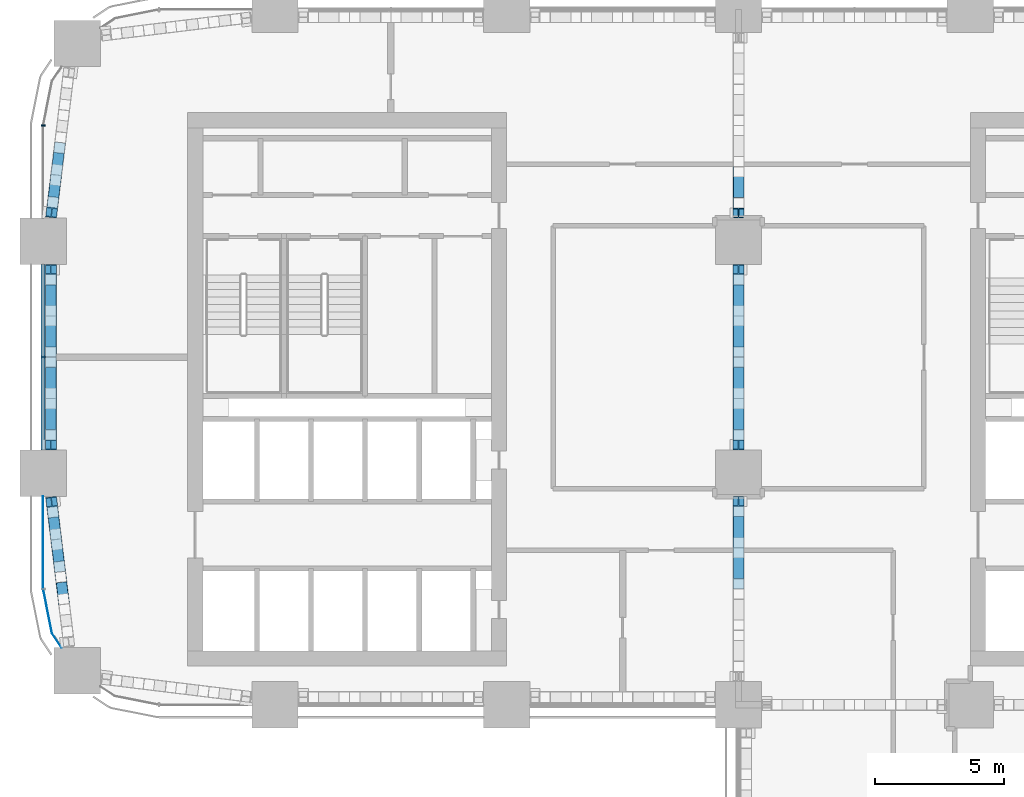
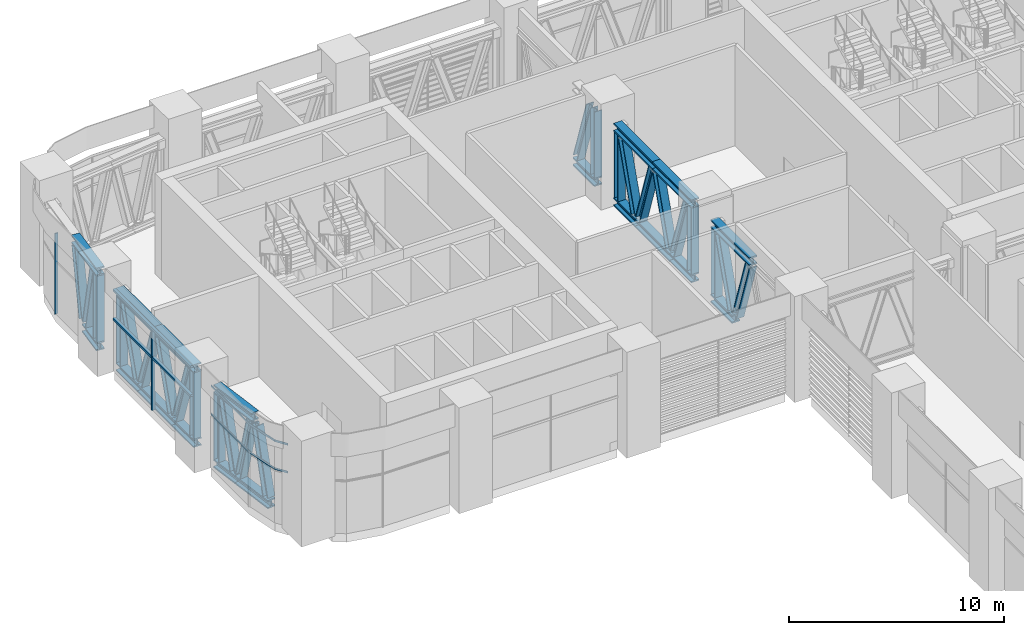
# One storey, part 7 of 24: 48 members, 3 elements without a shape of their own.
"""IFC4 building model written with IfcOpenShell, lengths in metres."""

from ifc_helpers import new_model, si_unit, direction, frame, origin, origin_2d, place, context, subcontext, project, spatial, polyline, rectangle, i_section, outline, extrude, material, material_profile, profile_set, type_object, element, aggregate, save


model = new_model("IFC4")

# Units and contexts
model_context = context("Model", 3, precision=1e-05, world=origin(), true_north=direction((0.0, 1.0)))
body_context = subcontext(model_context, "Body", "Model", "MODEL_VIEW")
ifc_project = project(units=[si_unit("LENGTHUNIT", "METRE"), si_unit("AREAUNIT", "SQUARE_METRE"), si_unit("VOLUMEUNIT", "CUBIC_METRE"), si_unit("PLANEANGLEUNIT", "RADIAN"), si_unit("MASSUNIT", "GRAM", prefix="KILO")], contexts=[model_context])

# Site, building, storey
site_placement = place(None, origin())
site = spatial("IfcSite", under=ifc_project, at=site_placement, CompositionType="ELEMENT")
building_placement = place(site_placement, origin())
building = spatial("IfcBuilding", under=site, at=building_placement, Name="Tessera Arch", CompositionType="ELEMENT")
storey_placement = place(building_placement, frame((0.0, 0.0, 123.39990234375)))
storey = spatial("IfcBuildingStorey", under=building, at=storey_placement, Name="L29", CompositionType="ELEMENT", Elevation=123.39990234375)

# Curtain wall, member
ifc_material_1 = material(Name="CW7 curtain wall")
curtain_wall_type = type_object("IfcCurtainWallType", Name="CW7 curtain wall", PredefinedType="NOTDEFINED", material=ifc_material_1)
curtain_wall_1_placement = place(storey_placement, origin())
curtain_wall_1 = element("IfcCurtainWall", 1, at=curtain_wall_1_placement, inside=storey, type_object=curtain_wall_type, Name="CW7 curtain wall W0.27/0 L29", PredefinedType="NOTDEFINED")
ifc_material_2 = material(Name="Anodised aluminium pale metal", Category="aluminium")
ifc_material_profile_1 = material_profile(ifc_material_2, rectangle(XDim=0.159912109375, YDim=0.06005859375, at=origin_2d()), Name="AL 60x160")
ifc_profile_set_1 = profile_set([ifc_material_profile_1], Name="Anodised aluminium pale metal")
member_type_1 = type_object("IfcMemberType", Name="CW7 mullion", PredefinedType="MULLION", material=ifc_profile_set_1)
member_1_placement = place(storey_placement, frame((0.0, 49.5, 0.0), z_axis=(0.0, 0.0, 1.0), x_axis=(1.0, 0.0, 0.0)))
member_1 = element("IfcMember", 2, at=member_1_placement, type_object=member_type_1, Name="CW7 mullion W0.27/0 1", PredefinedType="MULLION", context=body_context, shape_type="SweptSolid", body=[
    extrude(rectangle(XDim=0.159912109375, YDim=0.06005859375, at=origin_2d()), origin(), (0.0, 0.0, 1.0), 4.580078125),
])
aggregate(curtain_wall_1, [member_1])

# Curtain wall, members
curtain_wall_2_placement = place(storey_placement, origin())
curtain_wall_2 = element("IfcCurtainWall", 3, at=curtain_wall_2_placement, inside=storey, type_object=curtain_wall_type, Name="CW7 curtain wall W0.27/1 L29", PredefinedType="NOTDEFINED")
member_2_placement = place(storey_placement, frame((0.0, 40.5, 0.0), z_axis=(0.0, 0.0, 1.0), x_axis=(1.0, 0.0, 0.0)))
member_2 = element("IfcMember", 4, at=member_2_placement, type_object=member_type_1, Name="CW7 mullion W0.27/1 1", PredefinedType="MULLION", context=body_context, shape_type="SweptSolid", body=[
    extrude(rectangle(XDim=0.159912109375, YDim=0.06005859375, at=origin_2d()), origin(), (0.0, 0.0, 1.0), 4.580078125),
])
ifc_material_3 = material(Name="Anodised aluminium pale metal", Category="aluminium")
ifc_material_profile_2 = material_profile(ifc_material_3, rectangle(XDim=0.159912109375, YDim=0.1201171875, at=origin_2d()), Name="AL 160x120")
ifc_profile_set_2 = profile_set([ifc_material_profile_2], Name="Anodised aluminium pale metal")
member_type_2 = type_object("IfcMemberType", Name="CW7 transom", PredefinedType="USERDEFINED", material=ifc_profile_set_2)
member_3_placement = place(storey_placement, frame((0.0, 44.10009765625, 4.64013671875), z_axis=(0.0, -1.0, 0.0), x_axis=(1.0, 0.0, 0.0)))
member_3 = element("IfcMember", 5, at=member_3_placement, type_object=member_type_2, Name="CW7 transom W0.27/1 1.1", ObjectType="TRANSOM", PredefinedType="USERDEFINED", context=body_context, shape_type="SweptSolid", body=[
    extrude(rectangle(XDim=0.159912109375, YDim=0.1201171875, at=origin_2d()), origin(), (0.0, 0.0, 1.0), 7.2001953125),
])
member_4_placement = place(storey_placement, frame((0.0, 44.10009765625, 3.0), z_axis=(0.0, -1.0, 0.0), x_axis=(1.0, 0.0, 0.0)))
member_4 = element("IfcMember", 6, at=member_4_placement, type_object=member_type_2, Name="CW7 transom W0.27/1 2.1", ObjectType="TRANSOM", PredefinedType="USERDEFINED", context=body_context, shape_type="SweptSolid", body=[
    extrude(rectangle(XDim=0.159912109375, YDim=0.1201171875, at=origin_2d()), origin(), (0.0, 0.0, 1.0), 7.2001953125),
])
aggregate(curtain_wall_2, [member_2, member_3, member_4])

curtain_wall_3_placement = place(storey_placement, origin())
curtain_wall_3 = element("IfcCurtainWall", 7, at=curtain_wall_3_placement, inside=storey, type_object=curtain_wall_type, Name="CW7 curtain wall W0.27/2 L29", PredefinedType="NOTDEFINED")
member_5_placement = place(storey_placement, frame((0.0, 0.0, 3.0)))
member_5 = element("IfcMember", 8, at=member_5_placement, type_object=member_type_2, Name="CW7 transom W0.27/2 1", ObjectType="TRANSOM", PredefinedType="USERDEFINED", context=body_context, shape_type="SweptSolid", body=[
    extrude(outline(polyline([(0.010009765625, 31.5009765625), (0.010009765625, 35.10009765625), (-0.010009765625, 35.10009765625), (-0.010009765625, 31.4990234375), (0.3330078125, 29.77392578125), (0.70849609375, 29.21240234375), (0.72509765625, 29.2236328125), (0.351806640625, 29.78173828125), (0.010009765625, 31.5009765625)])), origin(), (0.0, 0.0, 1.0), 0.1201171875),
])
member_6_placement = place(storey_placement, frame((0.0, 0.0, 4.580078125)))
member_6 = element("IfcMember", 9, at=member_6_placement, type_object=member_type_2, Name="CW7 transom W0.27/2 2", ObjectType="TRANSOM", PredefinedType="USERDEFINED", context=body_context, shape_type="SweptSolid", body=[
    extrude(outline(polyline([(0.010009765625, 31.5009765625), (0.010009765625, 35.10009765625), (-0.010009765625, 35.10009765625), (-0.010009765625, 31.4990234375), (0.3330078125, 29.77392578125), (0.70849609375, 29.21240234375), (0.72509765625, 29.2236328125), (0.351806640625, 29.78173828125), (0.010009765625, 31.5009765625)])), origin(), (0.0, 0.0, 1.0), 0.1201171875),
])
aggregate(curtain_wall_3, [member_5, member_6])

# Members
ifc_material_4 = material(Name="Steel A992 Gr50", Category="steel")
ifc_material_profile_3 = material_profile(ifc_material_4, i_section(OverallWidth=0.424072265625, OverallDepth=0.47412109375, WebThickness=0.047607421875, FlangeThickness=0.0771484375, at=origin_2d()), Name="W14x426")
ifc_profile_set_3 = profile_set([ifc_material_profile_3], Name="Steel A992 Gr50")
member_type_3 = type_object("IfcMemberType", Name="Truss chord W14x426", PredefinedType="CHORD", material=ifc_profile_set_3)
member_7_placement = place(storey_placement, frame((0.659912109375, 48.835693359375, 4.462890625), z_axis=(-0.120918280139, -0.992662465055, 0.0), x_axis=(0.992662465055, -0.120918280139, 0.0)))
element("IfcMember", 10, at=member_7_placement, inside=storey, type_object=member_type_3, Name="Belt truss top chord 2", PredefinedType="CHORD", context=body_context, shape_type="SweptSolid", body=[
    extrude(i_section(OverallWidth=0.424072265625, OverallDepth=0.47412109375, WebThickness=0.047607421875, FlangeThickness=0.0771484375, at=origin_2d()), origin(), (0.0, 0.0, 1.0), 2.931640625),
])
member_8_placement = place(storey_placement, frame((0.50634765625, 47.575927734375, 0.2373046875), z_axis=(-0.120853214479, -0.992670388674, 0.0), x_axis=(0.992670388674, -0.120853214479, 0.0)))
element("IfcMember", 11, at=member_8_placement, inside=storey, type_object=member_type_3, Name="Belt truss bottom chord 3", PredefinedType="CHORD", context=body_context, shape_type="SweptSolid", body=[
    extrude(i_section(OverallWidth=0.424072265625, OverallDepth=0.47412109375, WebThickness=0.047607421875, FlangeThickness=0.0771484375, at=origin_2d()), origin(), (0.0, 0.0, 1.0), 1.66259765625),
])
for number, where, z_axis, x_axis, name in (
    (12, (0.300048828125, 44.10009765625, 4.462890625), (0.0, -1.0, 0.0), (1.0, 0.0, 0.0), "Belt truss top chord 1"),
    (13, (0.300048828125, 40.5, 4.462890625), (0.0, -1.0, 0.0), (1.0, 0.0, 0.0), "Belt truss top chord 2"),
):
    element("IfcMember", number, at=place(storey_placement, frame(where, z_axis=z_axis, x_axis=x_axis)), inside=storey, type_object=member_type_3, Name=name, PredefinedType="CHORD", context=body_context, shape_type="SweptSolid", body=[
        extrude(i_section(OverallWidth=0.424072265625, OverallDepth=0.47412109375, WebThickness=0.047607421875, FlangeThickness=0.0771484375, at=origin_2d()), origin(), (0.0, 0.0, 1.0), 3.60009765625),
    ])
member_9_placement = place(storey_placement, frame((0.300048828125, 44.10009765625, 0.2373046875), z_axis=(0.0, -1.0, 0.0), x_axis=(1.0, 0.0, 0.0)))
element("IfcMember", 14, at=member_9_placement, inside=storey, type_object=member_type_3, Name="Belt truss bottom chord 1", PredefinedType="CHORD", context=body_context, shape_type="SweptSolid", body=[
    extrude(i_section(OverallWidth=0.424072265625, OverallDepth=0.47412109375, WebThickness=0.047607421875, FlangeThickness=0.0771484375, at=origin_2d()), origin(), (0.0, 0.0, 1.0), 1.996826171875),
])
member_10_placement = place(storey_placement, frame((0.300048828125, 42.103271484375, 0.2373046875), z_axis=(0.0, -1.0, 0.0), x_axis=(1.0, 0.0, 0.0)))
element("IfcMember", 15, at=member_10_placement, inside=storey, type_object=member_type_3, Name="Belt truss bottom chord 2", PredefinedType="CHORD", context=body_context, shape_type="SweptSolid", body=[
    extrude(i_section(OverallWidth=0.424072265625, OverallDepth=0.47412109375, WebThickness=0.047607421875, FlangeThickness=0.0771484375, at=origin_2d()), origin(), (0.0, 0.0, 1.0), 3.20654296875),
])
member_11_placement = place(storey_placement, frame((0.300048828125, 38.896728515625, 0.2373046875), z_axis=(0.0, -1.0, 0.0), x_axis=(1.0, 0.0, 0.0)))
element("IfcMember", 16, at=member_11_placement, inside=storey, type_object=member_type_3, Name="Belt truss bottom chord 3", PredefinedType="CHORD", context=body_context, shape_type="SweptSolid", body=[
    extrude(i_section(OverallWidth=0.424072265625, OverallDepth=0.47412109375, WebThickness=0.047607421875, FlangeThickness=0.0771484375, at=origin_2d()), origin(), (0.0, 0.0, 1.0), 1.996826171875),
])
member_12_placement = place(storey_placement, frame((0.305419921875, 35.074462890625, 4.462890625), z_axis=(0.120918280139, -0.992662465055, 0.0), x_axis=(0.992662465055, 0.120918280139, 0.0)))
element("IfcMember", 17, at=member_12_placement, inside=storey, type_object=member_type_3, Name="Belt truss top chord 1", PredefinedType="CHORD", context=body_context, shape_type="SweptSolid", body=[
    extrude(i_section(OverallWidth=0.424072265625, OverallDepth=0.47412109375, WebThickness=0.047607421875, FlangeThickness=0.0771484375, at=origin_2d()), origin(), (0.0, 0.0, 1.0), 2.931640625),
])
member_13_placement = place(storey_placement, frame((0.305419921875, 35.074462890625, 0.2373046875), z_axis=(0.120853214479, -0.992670388674, 0.0), x_axis=(0.992670388674, 0.120853214479, 0.0)))
element("IfcMember", 18, at=member_13_placement, inside=storey, type_object=member_type_3, Name="Belt truss bottom chord 1", PredefinedType="CHORD", context=body_context, shape_type="SweptSolid", body=[
    extrude(i_section(OverallWidth=0.424072265625, OverallDepth=0.47412109375, WebThickness=0.047607421875, FlangeThickness=0.0771484375, at=origin_2d()), origin(), (0.0, 0.0, 1.0), 1.66259765625),
])
member_14_placement = place(storey_placement, frame((0.50634765625, 33.424072265625, 0.2373046875), z_axis=(0.121015073404, -0.992650669676, 0.0), x_axis=(0.992650669676, 0.121015073404, 0.0)))
element("IfcMember", 19, at=member_14_placement, inside=storey, type_object=member_type_3, Name="Belt truss bottom chord 2", PredefinedType="CHORD", context=body_context, shape_type="SweptSolid", body=[
    extrude(i_section(OverallWidth=0.424072265625, OverallDepth=0.47412109375, WebThickness=0.047607421875, FlangeThickness=0.0771484375, at=origin_2d()), origin(), (0.0, 0.0, 1.0), 2.537841796875),
])
member_15_placement = place(storey_placement, frame((27.0, 31.5, 4.462890625), z_axis=(0.0, 1.0, 0.0), x_axis=(-1.0, 0.0, 0.0)))
element("IfcMember", 20, at=member_15_placement, inside=storey, type_object=member_type_3, Name="Belt truss top chord 2", PredefinedType="CHORD", context=body_context, shape_type="SweptSolid", body=[
    extrude(i_section(OverallWidth=0.424072265625, OverallDepth=0.47412109375, WebThickness=0.047607421875, FlangeThickness=0.0771484375, at=origin_2d()), origin(), (0.0, 0.0, 1.0), 3.599853515625),
])
member_16_placement = place(storey_placement, frame((27.0, 33.10302734375, 0.2373046875), z_axis=(0.0, 1.0, 0.0), x_axis=(-1.0, 0.0, 0.0)))
element("IfcMember", 21, at=member_16_placement, inside=storey, type_object=member_type_3, Name="Belt truss bottom chord 3", PredefinedType="CHORD", context=body_context, shape_type="SweptSolid", body=[
    extrude(i_section(OverallWidth=0.424072265625, OverallDepth=0.47412109375, WebThickness=0.047607421875, FlangeThickness=0.0771484375, at=origin_2d()), origin(), (0.0, 0.0, 1.0), 1.996826171875),
])
for number, where, z_axis, x_axis, name in (
    (22, (27.0, 36.900146484375, 4.462890625), (0.0, 1.0, 0.0), (-1.0, 0.0, 0.0), "Belt truss top chord 1"),
    (23, (27.0, 40.5, 4.462890625), (0.0, 1.0, 0.0), (-1.0, 0.0, 0.0), "Belt truss top chord 2"),
):
    element("IfcMember", number, at=place(storey_placement, frame(where, z_axis=z_axis, x_axis=x_axis)), inside=storey, type_object=member_type_3, Name=name, PredefinedType="CHORD", context=body_context, shape_type="SweptSolid", body=[
        extrude(i_section(OverallWidth=0.424072265625, OverallDepth=0.47412109375, WebThickness=0.047607421875, FlangeThickness=0.0771484375, at=origin_2d()), origin(), (0.0, 0.0, 1.0), 3.599853515625),
    ])
member_17_placement = place(storey_placement, frame((27.0, 36.900146484375, 0.2373046875), z_axis=(0.0, 1.0, 0.0), x_axis=(-1.0, 0.0, 0.0)))
element("IfcMember", 24, at=member_17_placement, inside=storey, type_object=member_type_3, Name="Belt truss bottom chord 1", PredefinedType="CHORD", context=body_context, shape_type="SweptSolid", body=[
    extrude(i_section(OverallWidth=0.424072265625, OverallDepth=0.47412109375, WebThickness=0.047607421875, FlangeThickness=0.0771484375, at=origin_2d()), origin(), (0.0, 0.0, 1.0), 1.996826171875),
])
member_18_placement = place(storey_placement, frame((27.0, 38.89697265625, 0.2373046875), z_axis=(0.0, 1.0, 0.0), x_axis=(-1.0, 0.0, 0.0)))
element("IfcMember", 25, at=member_18_placement, inside=storey, type_object=member_type_3, Name="Belt truss bottom chord 2", PredefinedType="CHORD", context=body_context, shape_type="SweptSolid", body=[
    extrude(i_section(OverallWidth=0.424072265625, OverallDepth=0.47412109375, WebThickness=0.047607421875, FlangeThickness=0.0771484375, at=origin_2d()), origin(), (0.0, 0.0, 1.0), 3.2060546875),
])
for number, where, z_axis, x_axis, name in (
    (26, (27.0, 42.10302734375, 0.2373046875), (0.0, 1.0, 0.0), (-1.0, 0.0, 0.0), "Belt truss bottom chord 3"),
    (27, (27.0, 45.900146484375, 0.2373046875), (0.0, 1.0, 0.0), (-1.0, 0.0, 0.0), "Belt truss bottom chord 1"),
):
    element("IfcMember", number, at=place(storey_placement, frame(where, z_axis=z_axis, x_axis=x_axis)), inside=storey, type_object=member_type_3, Name=name, PredefinedType="CHORD", context=body_context, shape_type="SweptSolid", body=[
        extrude(i_section(OverallWidth=0.424072265625, OverallDepth=0.47412109375, WebThickness=0.047607421875, FlangeThickness=0.0771484375, at=origin_2d()), origin(), (0.0, 0.0, 1.0), 1.996826171875),
    ])
ifc_material_5 = material(Name="Steel A992 Gr50", Category="steel")
ifc_material_profile_4 = material_profile(ifc_material_5, i_section(OverallWidth=0.406494140625, OverallDepth=0.41650390625, WebThickness=0.030029296875, FlangeThickness=0.048095703125, at=origin_2d()), Name="W14x257")
ifc_profile_set_4 = profile_set([ifc_material_profile_4], Name="Steel A992 Gr50")
member_type_4 = type_object("IfcMemberType", Name="Truss diagonal W14x257", PredefinedType="BRACE", material=ifc_profile_set_4)
for number, where, z_axis, x_axis, name in (
    (28, (0.635009765625, 48.63037109375, 4.160400390625), (-0.027824663666, -0.228240991109, -0.973206986242), (0.992650895605, -0.121013220166, 0.0), "Belt truss diagonal 3"),
    (29, (0.4814453125, 47.37060546875, 0.539794921875), (-0.027825080377, -0.228178784129, 0.973221561298), (0.992646714248, -0.121047514191, 0.0), "Belt truss diagonal 4"),
):
    element("IfcMember", number, at=place(storey_placement, frame(where, z_axis=z_axis, x_axis=x_axis)), inside=storey, type_object=member_type_4, Name=name, PredefinedType="BRACE", context=body_context, shape_type="SweptSolid", body=[
        extrude(i_section(OverallWidth=0.406494140625, OverallDepth=0.41650390625, WebThickness=0.030029296875, FlangeThickness=0.048095703125, at=origin_2d()), origin(), (0.0, 0.0, 1.0), 3.72021484375),
    ])
for number, where, z_axis, x_axis, name in (
    (30, (0.300048828125, 43.5029296875, 4.142822265625), (0.0, -0.316557157585, -0.948573437316), (1.0, 0.0, 0.0), "Belt truss diagonal 1"),
    (31, (0.300048828125, 41.89990234375, 0.557373046875), (0.0, -0.316557157585, 0.948573437316), (1.0, 0.0, 0.0), "Belt truss diagonal 2"),
    (32, (0.300048828125, 40.296630859375, 4.142822265625), (0.0, -0.316557157585, -0.948573437316), (1.0, 0.0, 0.0), "Belt truss diagonal 3"),
    (33, (0.300048828125, 38.693603515625, 0.557373046875), (0.0, -0.316557157585, 0.948573437316), (1.0, 0.0, 0.0), "Belt truss diagonal 4"),
):
    element("IfcMember", number, at=place(storey_placement, frame(where, z_axis=z_axis, x_axis=x_axis)), inside=storey, type_object=member_type_4, Name=name, PredefinedType="BRACE", context=body_context, shape_type="SweptSolid", body=[
        extrude(i_section(OverallWidth=0.406494140625, OverallDepth=0.41650390625, WebThickness=0.030029296875, FlangeThickness=0.048095703125, at=origin_2d()), origin(), (0.0, 0.0, 1.0), 3.77978515625),
    ])
for number, where, z_axis, x_axis, name in (
    (34, (0.3779296875, 34.478271484375, 4.160400390625), (0.027825080377, -0.228178784129, -0.973221561298), (0.992646714248, 0.121047514191, 0.0), "Belt truss diagonal 1"),
    (35, (0.531494140625, 33.21875, 0.539794921875), (0.027824663666, -0.228240991109, 0.973206986242), (0.992650895605, 0.121013220166, 0.0), "Belt truss diagonal 2"),
    (36, (0.684814453125, 31.958984375, 4.160400390625), (0.027825080377, -0.228178784129, -0.973221561298), (0.992646714248, 0.121047514191, 0.0), "Belt truss diagonal 3"),
):
    element("IfcMember", number, at=place(storey_placement, frame(where, z_axis=z_axis, x_axis=x_axis)), inside=storey, type_object=member_type_4, Name=name, PredefinedType="BRACE", context=body_context, shape_type="SweptSolid", body=[
        extrude(i_section(OverallWidth=0.406494140625, OverallDepth=0.41650390625, WebThickness=0.030029296875, FlangeThickness=0.048095703125, at=origin_2d()), origin(), (0.0, 0.0, 1.0), 3.72021484375),
    ])
for number, where, z_axis, x_axis, name in (
    (37, (27.0, 31.703369140625, 4.142822265625), (0.0, 0.316557157585, -0.948573437316), (-1.0, 0.0, 0.0), "Belt truss diagonal 3"),
    (38, (27.0, 33.306396484375, 0.557373046875), (0.0, 0.316557157585, 0.948573437316), (-1.0, 0.0, 0.0), "Belt truss diagonal 4"),
    (39, (27.0, 37.4970703125, 4.142822265625), (0.0, 0.316557157585, -0.948573437316), (-1.0, 0.0, 0.0), "Belt truss diagonal 1"),
    (40, (27.0, 39.10009765625, 0.557373046875), (0.0, 0.316557157585, 0.948573437316), (-1.0, 0.0, 0.0), "Belt truss diagonal 2"),
    (41, (27.0, 40.703369140625, 4.142822265625), (0.0, 0.316557157585, -0.948573437316), (-1.0, 0.0, 0.0), "Belt truss diagonal 3"),
    (42, (27.0, 42.306396484375, 0.557373046875), (0.0, 0.316557157585, 0.948573437316), (-1.0, 0.0, 0.0), "Belt truss diagonal 4"),
    (43, (27.0, 46.4970703125, 4.142822265625), (0.0, 0.316557157585, -0.948573437316), (-1.0, 0.0, 0.0), "Belt truss diagonal 1"),
):
    element("IfcMember", number, at=place(storey_placement, frame(where, z_axis=z_axis, x_axis=x_axis)), inside=storey, type_object=member_type_4, Name=name, PredefinedType="BRACE", context=body_context, shape_type="SweptSolid", body=[
        extrude(i_section(OverallWidth=0.406494140625, OverallDepth=0.41650390625, WebThickness=0.030029296875, FlangeThickness=0.048095703125, at=origin_2d()), origin(), (0.0, 0.0, 1.0), 3.77978515625),
    ])
ifc_material_6 = material(Name="Steel A992 Gr50", Category="steel")
ifc_material_profile_5 = material_profile(ifc_material_6, i_section(OverallWidth=0.398681640625, OverallDepth=0.393798828125, WebThickness=0.022705078125, FlangeThickness=0.03662109375, at=origin_2d()), Name="W14x193")
ifc_profile_set_5 = profile_set([ifc_material_profile_5], Name="Steel A992 Gr50")
member_type_5 = type_object("IfcMemberType", Name="Truss post W14x193", PredefinedType="POST", material=ifc_profile_set_5)
for number, where, z_axis, x_axis, name in (
    (44, (0.3291015625, 46.12109375, 0.474365234375), (0.0, 0.0, 1.0), (-0.992658385962, 0.120951762202, 0.0), "Belt truss end post 2"),
    (45, (0.300048828125, 43.903076171875, 0.474365234375), (0.0, 0.0, 1.0), (1.0, 0.0, 0.0), "Belt truss end post 1"),
    (46, (0.300048828125, 37.096923828125, 0.474365234375), (0.0, 0.0, 1.0), (1.0, 0.0, 0.0), "Belt truss end post 2"),
    (47, (0.3291015625, 34.87890625, 0.474365234375), (0.0, 0.0, 1.0), (0.992658385962, 0.120951762202, 0.0), "Belt truss end post 1"),
    (48, (27.0, 34.903076171875, 0.474365234375), (0.0, 0.0, 1.0), (1.0, 0.0, 0.0), "Belt truss end post 2"),
    (49, (27.0, 37.096923828125, 0.474365234375), (0.0, 0.0, 1.0), (1.0, 0.0, 0.0), "Belt truss end post 1"),
    (50, (27.0, 43.903076171875, 0.474365234375), (0.0, 0.0, 1.0), (1.0, 0.0, 0.0), "Belt truss end post 2"),
    (51, (27.0, 46.096923828125, 0.474365234375), (0.0, 0.0, 1.0), (1.0, 0.0, 0.0), "Belt truss end post 1"),
):
    element("IfcMember", number, at=place(storey_placement, frame(where, z_axis=z_axis, x_axis=x_axis)), inside=storey, type_object=member_type_5, Name=name, PredefinedType="POST", context=body_context, shape_type="SweptSolid", body=[
        extrude(i_section(OverallWidth=0.398681640625, OverallDepth=0.393798828125, WebThickness=0.022705078125, FlangeThickness=0.03662109375, at=origin_2d()), origin(), (0.0, 0.0, 1.0), 3.75146484375),
    ])

save(model, "model.ifc")
